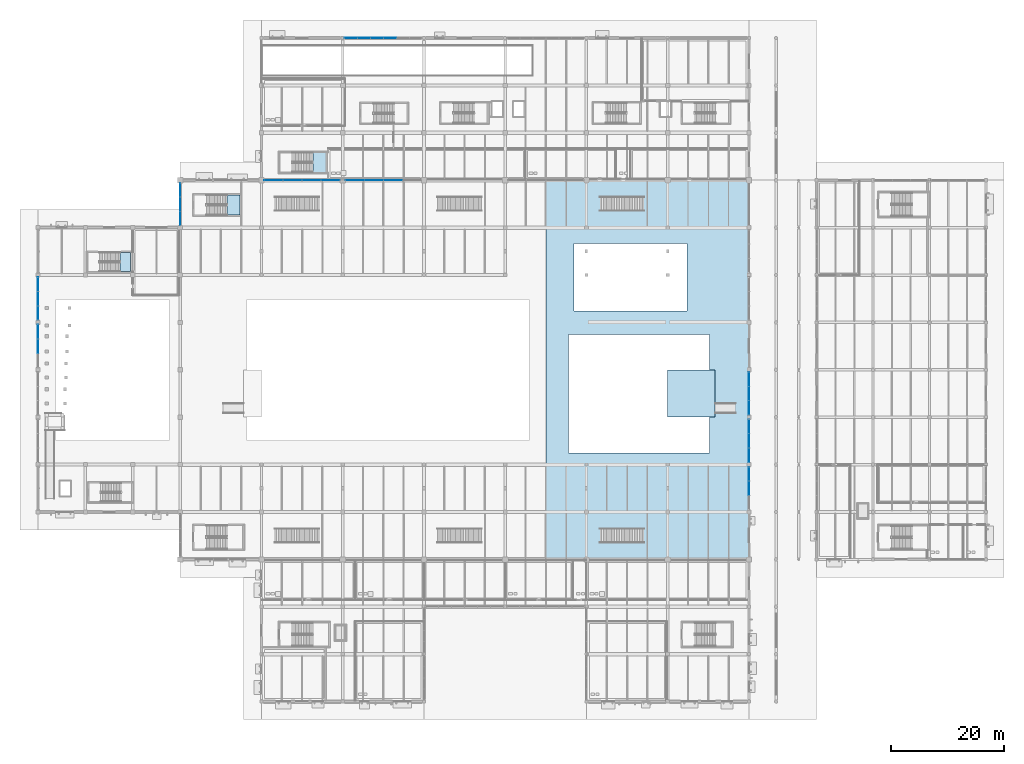
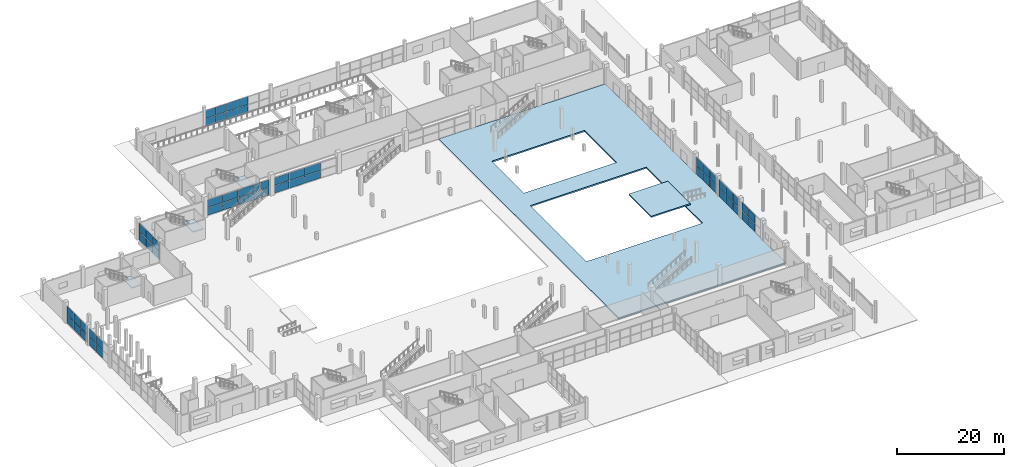
# One storey, part 84 of 130: 54 plates, 5 slabs, 12 elements without a shape of their own.
"""IFC4 building model written with IfcOpenShell, lengths in metres."""

from ifc_helpers import new_model, si_unit, direction, frame, origin, origin_2d, place, context, subcontext, project, spatial, polyline, rectangle, outline, extrude, material, layer, layer_set, type_object, element, aggregate, save


model = new_model("IFC4")

# Units and contexts
model_context = context("Model", 3, precision=1e-05, world=origin(), true_north=direction((0.0, 1.0)))
body_context = subcontext(model_context, "Body", "Model", "MODEL_VIEW")
ifc_project = project(units=[si_unit("LENGTHUNIT", "METRE"), si_unit("AREAUNIT", "SQUARE_METRE"), si_unit("VOLUMEUNIT", "CUBIC_METRE"), si_unit("PLANEANGLEUNIT", "RADIAN"), si_unit("MASSUNIT", "GRAM", prefix="KILO"), si_unit("THERMODYNAMICTEMPERATUREUNIT", "KELVIN")], contexts=[model_context])

# Site, building, storey
site_placement = place(None, origin())
site = spatial("IfcSite", under=ifc_project, at=site_placement, CompositionType="ELEMENT")
building_placement = place(site_placement, origin())
building = spatial("IfcBuilding", under=site, at=building_placement, Name="Nduvali Passage Aquatics Centre", CompositionType="ELEMENT")
storey_placement = place(building_placement, origin())
storey = spatial("IfcBuildingStorey", under=building, at=storey_placement, Name="L00", CompositionType="ELEMENT", Elevation=0.0)

# Curtain wall, plates
ifc_material_1 = material(Name="Aluminium EN AW-6063 T6", Category="aluminium")
curtain_wall_type_1 = type_object("IfcCurtainWallType", Name="ENV-CW-WELL", PredefinedType="NOTDEFINED", material=ifc_material_1)
curtain_wall_1_placement = place(storey_placement, origin())
curtain_wall_1 = element("IfcCurtainWall", 1, at=curtain_wall_1_placement, inside=storey, type_object=curtain_wall_type_1, Name="L00 North Avenue Lobby CW 099", PredefinedType="NOTDEFINED")
ifc_material_2 = material(Name="Laminated solar-control low-E IGU")
ifc_layer_1 = layer(ifc_material_2, 0.028076171875, Name="Laminated solar-control low-E IGU")
ifc_layer_set_1 = layer_set([ifc_layer_1], Name="Laminated solar-control low-E IGU")
plate_type_1 = type_object("IfcPlateType", Name="ENV-PLT-GLZ28", PredefinedType="CURTAIN_PANEL", material=ifc_layer_set_1)
plate_1_placement = place(storey_placement, frame((55.465087890625, 117.60009765625, 0.06005859375), z_axis=(0.0, 0.0, 1.0), x_axis=(1.0, 0.0, 0.0)))
plate_1 = element("IfcPlate", 2, at=plate_1_placement, type_object=plate_type_1, Name="North Avenue Lobby CW Glazed Panel B1-R1", PredefinedType="CURTAIN_PANEL", context=body_context, shape_type="SweptSolid", body=[
    extrude(rectangle(XDim=2.2099609375, YDim=0.028076171875, at=origin_2d()), origin(), (0.0, 0.0, 1.0), 1.786865234375),
])
plate_2_placement = place(storey_placement, frame((55.465087890625, 117.60009765625, 1.90673828125), z_axis=(0.0, 0.0, 1.0), x_axis=(1.0, 0.0, 0.0)))
plate_2 = element("IfcPlate", 3, at=plate_2_placement, type_object=plate_type_1, Name="North Avenue Lobby CW Glazed Panel B1-R2", PredefinedType="CURTAIN_PANEL", context=body_context, shape_type="SweptSolid", body=[
    extrude(rectangle(XDim=2.2099609375, YDim=0.028076171875, at=origin_2d()), origin(), (0.0, 0.0, 1.0), 1.786865234375),
])
plate_3_placement = place(storey_placement, frame((57.75, 117.60009765625, 0.06005859375), z_axis=(0.0, 0.0, 1.0), x_axis=(1.0, 0.0, 0.0)))
plate_3 = element("IfcPlate", 4, at=plate_3_placement, type_object=plate_type_1, Name="North Avenue Lobby CW Glazed Panel B2-R1", PredefinedType="CURTAIN_PANEL", context=body_context, shape_type="SweptSolid", body=[
    extrude(rectangle(XDim=2.239990234375, YDim=0.028076171875, at=origin_2d()), origin(), (0.0, 0.0, 1.0), 1.786865234375),
])
plate_4_placement = place(storey_placement, frame((57.75, 117.60009765625, 1.90673828125), z_axis=(0.0, 0.0, 1.0), x_axis=(1.0, 0.0, 0.0)))
plate_4 = element("IfcPlate", 5, at=plate_4_placement, type_object=plate_type_1, Name="North Avenue Lobby CW Glazed Panel B2-R2", PredefinedType="CURTAIN_PANEL", context=body_context, shape_type="SweptSolid", body=[
    extrude(rectangle(XDim=2.239990234375, YDim=0.028076171875, at=origin_2d()), origin(), (0.0, 0.0, 1.0), 1.786865234375),
])
plate_5_placement = place(storey_placement, frame((60.050048828125, 117.60009765625, 0.06005859375), z_axis=(0.0, 0.0, 1.0), x_axis=(1.0, 0.0, 0.0)))
plate_5 = element("IfcPlate", 6, at=plate_5_placement, type_object=plate_type_1, Name="North Avenue Lobby CW Glazed Panel B3-R1", PredefinedType="CURTAIN_PANEL", context=body_context, shape_type="SweptSolid", body=[
    extrude(rectangle(XDim=2.239990234375, YDim=0.028076171875, at=origin_2d()), origin(), (0.0, 0.0, 1.0), 1.786865234375),
])
plate_6_placement = place(storey_placement, frame((60.050048828125, 117.60009765625, 1.90673828125), z_axis=(0.0, 0.0, 1.0), x_axis=(1.0, 0.0, 0.0)))
plate_6 = element("IfcPlate", 7, at=plate_6_placement, type_object=plate_type_1, Name="North Avenue Lobby CW Glazed Panel B3-R2", PredefinedType="CURTAIN_PANEL", context=body_context, shape_type="SweptSolid", body=[
    extrude(rectangle(XDim=2.239990234375, YDim=0.028076171875, at=origin_2d()), origin(), (0.0, 0.0, 1.0), 1.786865234375),
])
plate_7_placement = place(storey_placement, frame((62.35009765625, 117.60009765625, 0.06005859375), z_axis=(0.0, 0.0, 1.0), x_axis=(1.0, 0.0, 0.0)))
plate_7 = element("IfcPlate", 8, at=plate_7_placement, type_object=plate_type_1, Name="North Avenue Lobby CW Glazed Panel B4-R1", PredefinedType="CURTAIN_PANEL", context=body_context, shape_type="SweptSolid", body=[
    extrude(rectangle(XDim=2.239990234375, YDim=0.028076171875, at=origin_2d()), origin(), (0.0, 0.0, 1.0), 1.786865234375),
])
plate_8_placement = place(storey_placement, frame((62.35009765625, 117.60009765625, 1.90673828125), z_axis=(0.0, 0.0, 1.0), x_axis=(1.0, 0.0, 0.0)))
plate_8 = element("IfcPlate", 9, at=plate_8_placement, type_object=plate_type_1, Name="North Avenue Lobby CW Glazed Panel B4-R2", PredefinedType="CURTAIN_PANEL", context=body_context, shape_type="SweptSolid", body=[
    extrude(rectangle(XDim=2.239990234375, YDim=0.028076171875, at=origin_2d()), origin(), (0.0, 0.0, 1.0), 1.786865234375),
])
aggregate(curtain_wall_1, [plate_1, plate_2, plate_3, plate_4, plate_5, plate_6, plate_7, plate_8])

curtain_wall_type_2 = type_object("IfcCurtainWallType", Name="ENV-CW-HALL", PredefinedType="NOTDEFINED", material=ifc_material_1)
curtain_wall_2_placement = place(storey_placement, origin())
curtain_wall_2 = element("IfcCurtainWall", 10, at=curtain_wall_2_placement, inside=storey, type_object=curtain_wall_type_2, Name="L00 West Pool Hall Lower Glazing 011", PredefinedType="NOTDEFINED")
ifc_layer_2 = layer(ifc_material_2, 0.031982421875, Name="Laminated solar-control low-E IGU")
ifc_layer_set_2 = layer_set([ifc_layer_2], Name="Laminated solar-control low-E IGU")
plate_type_2 = type_object("IfcPlateType", Name="ENV-PLT-GLZ32", PredefinedType="CURTAIN_PANEL", material=ifc_layer_set_2)
plate_9_placement = place(storey_placement, frame((25.199951171875, 85.652587890625, 0.06005859375), z_axis=(0.0, 0.0, 1.0), x_axis=(0.0, 1.0, 0.0)))
plate_9 = element("IfcPlate", 11, at=plate_9_placement, type_object=plate_type_2, Name="West Pool Hall Lower Glazing Glazed Panel B1-R1", PredefinedType="CURTAIN_PANEL", context=body_context, shape_type="SweptSolid", body=[
    extrude(rectangle(XDim=2.43505859375, YDim=0.031982421875, at=origin_2d()), origin(), (0.0, 0.0, 1.0), 1.898193359375),
])
plate_10_placement = place(storey_placement, frame((25.199951171875, 85.652587890625, 2.01806640625), z_axis=(0.0, 0.0, 1.0), x_axis=(0.0, 1.0, 0.0)))
plate_10 = element("IfcPlate", 12, at=plate_10_placement, type_object=plate_type_2, Name="West Pool Hall Lower Glazing Glazed Panel B1-R2", PredefinedType="CURTAIN_PANEL", context=body_context, shape_type="SweptSolid", body=[
    extrude(rectangle(XDim=2.43505859375, YDim=0.031982421875, at=origin_2d()), origin(), (0.0, 0.0, 1.0), 1.898193359375),
])
plate_11_placement = place(storey_placement, frame((25.199951171875, 88.16259765625, 0.06005859375), z_axis=(0.0, 0.0, 1.0), x_axis=(0.0, 1.0, 0.0)))
plate_11 = element("IfcPlate", 13, at=plate_11_placement, type_object=plate_type_2, Name="West Pool Hall Lower Glazing Glazed Panel B2-R1", PredefinedType="CURTAIN_PANEL", context=body_context, shape_type="SweptSolid", body=[
    extrude(rectangle(XDim=2.465087890625, YDim=0.031982421875, at=origin_2d()), origin(), (0.0, 0.0, 1.0), 1.898193359375),
])
plate_12_placement = place(storey_placement, frame((25.199951171875, 88.16259765625, 2.01806640625), z_axis=(0.0, 0.0, 1.0), x_axis=(0.0, 1.0, 0.0)))
plate_12 = element("IfcPlate", 14, at=plate_12_placement, type_object=plate_type_2, Name="West Pool Hall Lower Glazing Glazed Panel B2-R2", PredefinedType="CURTAIN_PANEL", context=body_context, shape_type="SweptSolid", body=[
    extrude(rectangle(XDim=2.465087890625, YDim=0.031982421875, at=origin_2d()), origin(), (0.0, 0.0, 1.0), 1.898193359375),
])
plate_13_placement = place(storey_placement, frame((25.199951171875, 90.672607421875, 0.06005859375), z_axis=(0.0, 0.0, 1.0), x_axis=(0.0, 1.0, 0.0)))
plate_13 = element("IfcPlate", 15, at=plate_13_placement, type_object=plate_type_2, Name="West Pool Hall Lower Glazing Glazed Panel B3-R1", PredefinedType="CURTAIN_PANEL", context=body_context, shape_type="SweptSolid", body=[
    extrude(rectangle(XDim=2.43505859375, YDim=0.031982421875, at=origin_2d()), origin(), (0.0, 0.0, 1.0), 1.898193359375),
])
plate_14_placement = place(storey_placement, frame((25.199951171875, 90.672607421875, 2.01806640625), z_axis=(0.0, 0.0, 1.0), x_axis=(0.0, 1.0, 0.0)))
plate_14 = element("IfcPlate", 16, at=plate_14_placement, type_object=plate_type_2, Name="West Pool Hall Lower Glazing Glazed Panel B3-R2", PredefinedType="CURTAIN_PANEL", context=body_context, shape_type="SweptSolid", body=[
    extrude(rectangle(XDim=2.43505859375, YDim=0.031982421875, at=origin_2d()), origin(), (0.0, 0.0, 1.0), 1.898193359375),
])
aggregate(curtain_wall_2, [plate_9, plate_10, plate_11, plate_12, plate_13, plate_14])

curtain_wall_3_placement = place(storey_placement, origin())
curtain_wall_3 = element("IfcCurtainWall", 17, at=curtain_wall_3_placement, inside=storey, type_object=curtain_wall_type_2, Name="L00 East Passage Pool Hall Lower Glazing 018", PredefinedType="NOTDEFINED")
plate_15_placement = place(storey_placement, frame((126.0, 37.800048828125, 0.06005859375), z_axis=(0.0, 0.0, 1.0), x_axis=(0.0, 1.0, 0.0)))
plate_15 = element("IfcPlate", 18, at=plate_15_placement, type_object=plate_type_2, Name="East Passage Pool Hall Lower Glazing Glazed Panel B2-R1", PredefinedType="CURTAIN_PANEL", context=body_context, shape_type="SweptSolid", body=[
    extrude(rectangle(XDim=2.489990234375, YDim=0.031982421875, at=origin_2d()), origin(), (0.0, 0.0, 1.0), 1.898193359375),
])
plate_16_placement = place(storey_placement, frame((126.0, 37.800048828125, 2.01806640625), z_axis=(0.0, 0.0, 1.0), x_axis=(0.0, 1.0, 0.0)))
plate_16 = element("IfcPlate", 19, at=plate_16_placement, type_object=plate_type_2, Name="East Passage Pool Hall Lower Glazing Glazed Panel B2-R2", PredefinedType="CURTAIN_PANEL", context=body_context, shape_type="SweptSolid", body=[
    extrude(rectangle(XDim=2.489990234375, YDim=0.031982421875, at=origin_2d()), origin(), (0.0, 0.0, 1.0), 1.898193359375),
])
plate_17_placement = place(storey_placement, frame((126.0, 40.3349609375, 0.06005859375), z_axis=(0.0, 0.0, 1.0), x_axis=(0.0, 1.0, 0.0)))
plate_17 = element("IfcPlate", 20, at=plate_17_placement, type_object=plate_type_2, Name="East Passage Pool Hall Lower Glazing Glazed Panel B3-R1", PredefinedType="CURTAIN_PANEL", context=body_context, shape_type="SweptSolid", body=[
    extrude(rectangle(XDim=2.4599609375, YDim=0.031982421875, at=origin_2d()), origin(), (0.0, 0.0, 1.0), 1.898193359375),
])
plate_18_placement = place(storey_placement, frame((126.0, 40.3349609375, 2.01806640625), z_axis=(0.0, 0.0, 1.0), x_axis=(0.0, 1.0, 0.0)))
plate_18 = element("IfcPlate", 21, at=plate_18_placement, type_object=plate_type_2, Name="East Passage Pool Hall Lower Glazing Glazed Panel B3-R2", PredefinedType="CURTAIN_PANEL", context=body_context, shape_type="SweptSolid", body=[
    extrude(rectangle(XDim=2.4599609375, YDim=0.031982421875, at=origin_2d()), origin(), (0.0, 0.0, 1.0), 1.898193359375),
])
aggregate(curtain_wall_3, [plate_15, plate_16, plate_17, plate_18])

curtain_wall_4_placement = place(storey_placement, origin())
curtain_wall_4 = element("IfcCurtainWall", 22, at=curtain_wall_4_placement, inside=storey, type_object=curtain_wall_type_2, Name="L00 East Passage Pool Hall Lower Glazing 022", PredefinedType="NOTDEFINED")
plate_19_placement = place(storey_placement, frame((126.0, 43.6650390625, 0.06005859375), z_axis=(0.0, 0.0, 1.0), x_axis=(0.0, 1.0, 0.0)))
plate_19 = element("IfcPlate", 23, at=plate_19_placement, type_object=plate_type_2, Name="East Passage Pool Hall Lower Glazing Glazed Panel B1-R1", PredefinedType="CURTAIN_PANEL", context=body_context, shape_type="SweptSolid", body=[
    extrude(rectangle(XDim=2.4599609375, YDim=0.031982421875, at=origin_2d()), origin(), (0.0, 0.0, 1.0), 1.898193359375),
])
plate_20_placement = place(storey_placement, frame((126.0, 43.6650390625, 2.01806640625), z_axis=(0.0, 0.0, 1.0), x_axis=(0.0, 1.0, 0.0)))
plate_20 = element("IfcPlate", 24, at=plate_20_placement, type_object=plate_type_2, Name="East Passage Pool Hall Lower Glazing Glazed Panel B1-R2", PredefinedType="CURTAIN_PANEL", context=body_context, shape_type="SweptSolid", body=[
    extrude(rectangle(XDim=2.4599609375, YDim=0.031982421875, at=origin_2d()), origin(), (0.0, 0.0, 1.0), 1.898193359375),
])
plate_21_placement = place(storey_placement, frame((126.0, 46.199951171875, 0.06005859375), z_axis=(0.0, 0.0, 1.0), x_axis=(0.0, 1.0, 0.0)))
plate_21 = element("IfcPlate", 25, at=plate_21_placement, type_object=plate_type_2, Name="East Passage Pool Hall Lower Glazing Glazed Panel B2-R1", PredefinedType="CURTAIN_PANEL", context=body_context, shape_type="SweptSolid", body=[
    extrude(rectangle(XDim=2.489990234375, YDim=0.031982421875, at=origin_2d()), origin(), (0.0, 0.0, 1.0), 1.898193359375),
])
plate_22_placement = place(storey_placement, frame((126.0, 46.199951171875, 2.01806640625), z_axis=(0.0, 0.0, 1.0), x_axis=(0.0, 1.0, 0.0)))
plate_22 = element("IfcPlate", 26, at=plate_22_placement, type_object=plate_type_2, Name="East Passage Pool Hall Lower Glazing Glazed Panel B2-R2", PredefinedType="CURTAIN_PANEL", context=body_context, shape_type="SweptSolid", body=[
    extrude(rectangle(XDim=2.489990234375, YDim=0.031982421875, at=origin_2d()), origin(), (0.0, 0.0, 1.0), 1.898193359375),
])
plate_23_placement = place(storey_placement, frame((126.0, 48.735107421875, 0.06005859375), z_axis=(0.0, 0.0, 1.0), x_axis=(0.0, 1.0, 0.0)))
plate_23 = element("IfcPlate", 27, at=plate_23_placement, type_object=plate_type_2, Name="East Passage Pool Hall Lower Glazing Glazed Panel B3-R1", PredefinedType="CURTAIN_PANEL", context=body_context, shape_type="SweptSolid", body=[
    extrude(rectangle(XDim=2.4599609375, YDim=0.031982421875, at=origin_2d()), origin(), (0.0, 0.0, 1.0), 1.898193359375),
])
plate_24_placement = place(storey_placement, frame((126.0, 48.735107421875, 2.01806640625), z_axis=(0.0, 0.0, 1.0), x_axis=(0.0, 1.0, 0.0)))
plate_24 = element("IfcPlate", 28, at=plate_24_placement, type_object=plate_type_2, Name="East Passage Pool Hall Lower Glazing Glazed Panel B3-R2", PredefinedType="CURTAIN_PANEL", context=body_context, shape_type="SweptSolid", body=[
    extrude(rectangle(XDim=2.4599609375, YDim=0.031982421875, at=origin_2d()), origin(), (0.0, 0.0, 1.0), 1.898193359375),
])
aggregate(curtain_wall_4, [plate_19, plate_20, plate_21, plate_22, plate_23, plate_24])

curtain_wall_5_placement = place(storey_placement, origin())
curtain_wall_5 = element("IfcCurtainWall", 29, at=curtain_wall_5_placement, inside=storey, type_object=curtain_wall_type_2, Name="L00 East Passage Pool Hall Lower Glazing 026", PredefinedType="NOTDEFINED")
plate_25_placement = place(storey_placement, frame((126.0, 52.06494140625, 0.06005859375), z_axis=(0.0, 0.0, 1.0), x_axis=(0.0, 1.0, 0.0)))
plate_25 = element("IfcPlate", 30, at=plate_25_placement, type_object=plate_type_2, Name="East Passage Pool Hall Lower Glazing Glazed Panel B1-R1", PredefinedType="CURTAIN_PANEL", context=body_context, shape_type="SweptSolid", body=[
    extrude(rectangle(XDim=2.4599609375, YDim=0.031982421875, at=origin_2d()), origin(), (0.0, 0.0, 1.0), 1.898193359375),
])
plate_26_placement = place(storey_placement, frame((126.0, 52.06494140625, 2.01806640625), z_axis=(0.0, 0.0, 1.0), x_axis=(0.0, 1.0, 0.0)))
plate_26 = element("IfcPlate", 31, at=plate_26_placement, type_object=plate_type_2, Name="East Passage Pool Hall Lower Glazing Glazed Panel B1-R2", PredefinedType="CURTAIN_PANEL", context=body_context, shape_type="SweptSolid", body=[
    extrude(rectangle(XDim=2.4599609375, YDim=0.031982421875, at=origin_2d()), origin(), (0.0, 0.0, 1.0), 1.898193359375),
])
plate_27_placement = place(storey_placement, frame((126.0, 54.60009765625, 0.06005859375), z_axis=(0.0, 0.0, 1.0), x_axis=(0.0, 1.0, 0.0)))
plate_27 = element("IfcPlate", 32, at=plate_27_placement, type_object=plate_type_2, Name="East Passage Pool Hall Lower Glazing Glazed Panel B2-R1", PredefinedType="CURTAIN_PANEL", context=body_context, shape_type="SweptSolid", body=[
    extrude(rectangle(XDim=2.489990234375, YDim=0.031982421875, at=origin_2d()), origin(), (0.0, 0.0, 1.0), 1.898193359375),
])
plate_28_placement = place(storey_placement, frame((126.0, 54.60009765625, 2.01806640625), z_axis=(0.0, 0.0, 1.0), x_axis=(0.0, 1.0, 0.0)))
plate_28 = element("IfcPlate", 33, at=plate_28_placement, type_object=plate_type_2, Name="East Passage Pool Hall Lower Glazing Glazed Panel B2-R2", PredefinedType="CURTAIN_PANEL", context=body_context, shape_type="SweptSolid", body=[
    extrude(rectangle(XDim=2.489990234375, YDim=0.031982421875, at=origin_2d()), origin(), (0.0, 0.0, 1.0), 1.898193359375),
])
plate_29_placement = place(storey_placement, frame((126.0, 57.135009765625, 0.06005859375), z_axis=(0.0, 0.0, 1.0), x_axis=(0.0, 1.0, 0.0)))
plate_29 = element("IfcPlate", 34, at=plate_29_placement, type_object=plate_type_2, Name="East Passage Pool Hall Lower Glazing Glazed Panel B3-R1", PredefinedType="CURTAIN_PANEL", context=body_context, shape_type="SweptSolid", body=[
    extrude(rectangle(XDim=2.4599609375, YDim=0.031982421875, at=origin_2d()), origin(), (0.0, 0.0, 1.0), 1.898193359375),
])
plate_30_placement = place(storey_placement, frame((126.0, 57.135009765625, 2.01806640625), z_axis=(0.0, 0.0, 1.0), x_axis=(0.0, 1.0, 0.0)))
plate_30 = element("IfcPlate", 35, at=plate_30_placement, type_object=plate_type_2, Name="East Passage Pool Hall Lower Glazing Glazed Panel B3-R2", PredefinedType="CURTAIN_PANEL", context=body_context, shape_type="SweptSolid", body=[
    extrude(rectangle(XDim=2.4599609375, YDim=0.031982421875, at=origin_2d()), origin(), (0.0, 0.0, 1.0), 1.898193359375),
])
aggregate(curtain_wall_5, [plate_25, plate_26, plate_27, plate_28, plate_29, plate_30])

curtain_wall_6_placement = place(storey_placement, origin())
curtain_wall_6 = element("IfcCurtainWall", 36, at=curtain_wall_6_placement, inside=storey, type_object=curtain_wall_type_2, Name="L00 North Pool Hall Hydro-Pool Screen 057", PredefinedType="NOTDEFINED")
plate_31_placement = place(storey_placement, frame((41.75244140625, 92.39990234375, 0.06005859375), z_axis=(0.0, 0.0, 1.0), x_axis=(1.0, 0.0, 0.0)))
plate_31 = element("IfcPlate", 37, at=plate_31_placement, type_object=plate_type_2, Name="North Pool Hall Hydro-Pool Screen Glazed Panel B1-R1", PredefinedType="CURTAIN_PANEL", context=body_context, shape_type="SweptSolid", body=[
    extrude(rectangle(XDim=3.284912109375, YDim=0.031982421875, at=origin_2d()), origin(), (0.0, 0.0, 1.0), 1.712890625),
])
plate_32_placement = place(storey_placement, frame((41.75244140625, 92.39990234375, 1.832763671875), z_axis=(0.0, 0.0, 1.0), x_axis=(1.0, 0.0, 0.0)))
plate_32 = element("IfcPlate", 38, at=plate_32_placement, type_object=plate_type_2, Name="North Pool Hall Hydro-Pool Screen Glazed Panel B1-R2", PredefinedType="CURTAIN_PANEL", context=body_context, shape_type="SweptSolid", body=[
    extrude(rectangle(XDim=3.284912109375, YDim=0.031982421875, at=origin_2d()), origin(), (0.0, 0.0, 1.0), 1.712890625),
])
plate_33_placement = place(storey_placement, frame((45.112548828125, 92.39990234375, 0.06005859375), z_axis=(0.0, 0.0, 1.0), x_axis=(1.0, 0.0, 0.0)))
plate_33 = element("IfcPlate", 39, at=plate_33_placement, type_object=plate_type_2, Name="North Pool Hall Hydro-Pool Screen Glazed Panel B2-R1", PredefinedType="CURTAIN_PANEL", context=body_context, shape_type="SweptSolid", body=[
    extrude(rectangle(XDim=3.31494140625, YDim=0.031982421875, at=origin_2d()), origin(), (0.0, 0.0, 1.0), 1.712890625),
])
plate_34_placement = place(storey_placement, frame((45.112548828125, 92.39990234375, 1.832763671875), z_axis=(0.0, 0.0, 1.0), x_axis=(1.0, 0.0, 0.0)))
plate_34 = element("IfcPlate", 40, at=plate_34_placement, type_object=plate_type_2, Name="North Pool Hall Hydro-Pool Screen Glazed Panel B2-R2", PredefinedType="CURTAIN_PANEL", context=body_context, shape_type="SweptSolid", body=[
    extrude(rectangle(XDim=3.31494140625, YDim=0.031982421875, at=origin_2d()), origin(), (0.0, 0.0, 1.0), 1.712890625),
])
plate_35_placement = place(storey_placement, frame((48.487548828125, 92.39990234375, 0.06005859375), z_axis=(0.0, 0.0, 1.0), x_axis=(1.0, 0.0, 0.0)))
plate_35 = element("IfcPlate", 41, at=plate_35_placement, type_object=plate_type_2, Name="North Pool Hall Hydro-Pool Screen Glazed Panel B3-R1", PredefinedType="CURTAIN_PANEL", context=body_context, shape_type="SweptSolid", body=[
    extrude(rectangle(XDim=3.31494140625, YDim=0.031982421875, at=origin_2d()), origin(), (0.0, 0.0, 1.0), 1.712890625),
])
plate_36_placement = place(storey_placement, frame((48.487548828125, 92.39990234375, 1.832763671875), z_axis=(0.0, 0.0, 1.0), x_axis=(1.0, 0.0, 0.0)))
plate_36 = element("IfcPlate", 42, at=plate_36_placement, type_object=plate_type_2, Name="North Pool Hall Hydro-Pool Screen Glazed Panel B3-R2", PredefinedType="CURTAIN_PANEL", context=body_context, shape_type="SweptSolid", body=[
    extrude(rectangle(XDim=3.31494140625, YDim=0.031982421875, at=origin_2d()), origin(), (0.0, 0.0, 1.0), 1.712890625),
])
plate_37_placement = place(storey_placement, frame((51.847412109375, 92.39990234375, 0.06005859375), z_axis=(0.0, 0.0, 1.0), x_axis=(1.0, 0.0, 0.0)))
plate_37 = element("IfcPlate", 43, at=plate_37_placement, type_object=plate_type_2, Name="North Pool Hall Hydro-Pool Screen Glazed Panel B4-R1", PredefinedType="CURTAIN_PANEL", context=body_context, shape_type="SweptSolid", body=[
    extrude(rectangle(XDim=3.284912109375, YDim=0.031982421875, at=origin_2d()), origin(), (0.0, 0.0, 1.0), 1.712890625),
])
plate_38_placement = place(storey_placement, frame((51.847412109375, 92.39990234375, 1.832763671875), z_axis=(0.0, 0.0, 1.0), x_axis=(1.0, 0.0, 0.0)))
plate_38 = element("IfcPlate", 44, at=plate_38_placement, type_object=plate_type_2, Name="North Pool Hall Hydro-Pool Screen Glazed Panel B4-R2", PredefinedType="CURTAIN_PANEL", context=body_context, shape_type="SweptSolid", body=[
    extrude(rectangle(XDim=3.284912109375, YDim=0.031982421875, at=origin_2d()), origin(), (0.0, 0.0, 1.0), 1.712890625),
])
aggregate(curtain_wall_6, [plate_31, plate_32, plate_33, plate_34, plate_35, plate_36, plate_37, plate_38])

curtain_wall_7_placement = place(storey_placement, origin())
curtain_wall_7 = element("IfcCurtainWall", 45, at=curtain_wall_7_placement, inside=storey, type_object=curtain_wall_type_2, Name="L00 North Pool Hall Hydro-Pool Screen 060", PredefinedType="NOTDEFINED")
plate_39_placement = place(storey_placement, frame((56.152587890625, 92.39990234375, 0.06005859375), z_axis=(0.0, 0.0, 1.0), x_axis=(1.0, 0.0, 0.0)))
plate_39 = element("IfcPlate", 46, at=plate_39_placement, type_object=plate_type_2, Name="North Pool Hall Hydro-Pool Screen Glazed Panel B1-R1", PredefinedType="CURTAIN_PANEL", context=body_context, shape_type="SweptSolid", body=[
    extrude(rectangle(XDim=3.284912109375, YDim=0.031982421875, at=origin_2d()), origin(), (0.0, 0.0, 1.0), 1.712890625),
])
plate_40_placement = place(storey_placement, frame((56.152587890625, 92.39990234375, 1.832763671875), z_axis=(0.0, 0.0, 1.0), x_axis=(1.0, 0.0, 0.0)))
plate_40 = element("IfcPlate", 47, at=plate_40_placement, type_object=plate_type_2, Name="North Pool Hall Hydro-Pool Screen Glazed Panel B1-R2", PredefinedType="CURTAIN_PANEL", context=body_context, shape_type="SweptSolid", body=[
    extrude(rectangle(XDim=3.284912109375, YDim=0.031982421875, at=origin_2d()), origin(), (0.0, 0.0, 1.0), 1.712890625),
])
plate_41_placement = place(storey_placement, frame((59.512451171875, 92.39990234375, 0.06005859375), z_axis=(0.0, 0.0, 1.0), x_axis=(1.0, 0.0, 0.0)))
plate_41 = element("IfcPlate", 48, at=plate_41_placement, type_object=plate_type_2, Name="North Pool Hall Hydro-Pool Screen Glazed Panel B2-R1", PredefinedType="CURTAIN_PANEL", context=body_context, shape_type="SweptSolid", body=[
    extrude(rectangle(XDim=3.31494140625, YDim=0.031982421875, at=origin_2d()), origin(), (0.0, 0.0, 1.0), 1.712890625),
])
plate_42_placement = place(storey_placement, frame((59.512451171875, 92.39990234375, 1.832763671875), z_axis=(0.0, 0.0, 1.0), x_axis=(1.0, 0.0, 0.0)))
plate_42 = element("IfcPlate", 49, at=plate_42_placement, type_object=plate_type_2, Name="North Pool Hall Hydro-Pool Screen Glazed Panel B2-R2", PredefinedType="CURTAIN_PANEL", context=body_context, shape_type="SweptSolid", body=[
    extrude(rectangle(XDim=3.31494140625, YDim=0.031982421875, at=origin_2d()), origin(), (0.0, 0.0, 1.0), 1.712890625),
])
plate_43_placement = place(storey_placement, frame((62.887451171875, 92.39990234375, 0.06005859375), z_axis=(0.0, 0.0, 1.0), x_axis=(1.0, 0.0, 0.0)))
plate_43 = element("IfcPlate", 50, at=plate_43_placement, type_object=plate_type_2, Name="North Pool Hall Hydro-Pool Screen Glazed Panel B3-R1", PredefinedType="CURTAIN_PANEL", context=body_context, shape_type="SweptSolid", body=[
    extrude(rectangle(XDim=3.31494140625, YDim=0.031982421875, at=origin_2d()), origin(), (0.0, 0.0, 1.0), 1.712890625),
])
plate_44_placement = place(storey_placement, frame((62.887451171875, 92.39990234375, 1.832763671875), z_axis=(0.0, 0.0, 1.0), x_axis=(1.0, 0.0, 0.0)))
plate_44 = element("IfcPlate", 51, at=plate_44_placement, type_object=plate_type_2, Name="North Pool Hall Hydro-Pool Screen Glazed Panel B3-R2", PredefinedType="CURTAIN_PANEL", context=body_context, shape_type="SweptSolid", body=[
    extrude(rectangle(XDim=3.31494140625, YDim=0.031982421875, at=origin_2d()), origin(), (0.0, 0.0, 1.0), 1.712890625),
])
aggregate(curtain_wall_7, [plate_39, plate_40, plate_41, plate_42, plate_43, plate_44])

curtain_wall_type_3 = type_object("IfcCurtainWallType", Name="ENV-CW-DIVE", PredefinedType="NOTDEFINED", material=ifc_material_1)
curtain_wall_8_placement = place(storey_placement, origin())
curtain_wall_8 = element("IfcCurtainWall", 52, at=curtain_wall_8_placement, inside=storey, type_object=curtain_wall_type_3, Name="L00 West Diving Pool Viewing CW 137", PredefinedType="NOTDEFINED")
plate_45_placement = place(storey_placement, frame((0.0, 63.0, 0.06005859375), z_axis=(0.0, 0.0, 1.0), x_axis=(0.0, 1.0, 0.0)))
plate_45 = element("IfcPlate", 53, at=plate_45_placement, type_object=plate_type_2, Name="West Diving Pool Viewing CW Glazed Panel B2-R1", PredefinedType="CURTAIN_PANEL", context=body_context, shape_type="SweptSolid", body=[
    extrude(rectangle(XDim=2.489990234375, YDim=0.031982421875, at=origin_2d()), origin(), (0.0, 0.0, 1.0), 1.898193359375),
])
plate_46_placement = place(storey_placement, frame((0.0, 63.0, 2.01806640625), z_axis=(0.0, 0.0, 1.0), x_axis=(0.0, 1.0, 0.0)))
plate_46 = element("IfcPlate", 54, at=plate_46_placement, type_object=plate_type_2, Name="West Diving Pool Viewing CW Glazed Panel B2-R2", PredefinedType="CURTAIN_PANEL", context=body_context, shape_type="SweptSolid", body=[
    extrude(rectangle(XDim=2.489990234375, YDim=0.031982421875, at=origin_2d()), origin(), (0.0, 0.0, 1.0), 1.898193359375),
])
plate_47_placement = place(storey_placement, frame((0.0, 65.534912109375, 0.06005859375), z_axis=(0.0, 0.0, 1.0), x_axis=(0.0, 1.0, 0.0)))
plate_47 = element("IfcPlate", 55, at=plate_47_placement, type_object=plate_type_2, Name="West Diving Pool Viewing CW Glazed Panel B3-R1", PredefinedType="CURTAIN_PANEL", context=body_context, shape_type="SweptSolid", body=[
    extrude(rectangle(XDim=2.4599609375, YDim=0.031982421875, at=origin_2d()), origin(), (0.0, 0.0, 1.0), 1.898193359375),
])
plate_48_placement = place(storey_placement, frame((0.0, 65.534912109375, 2.01806640625), z_axis=(0.0, 0.0, 1.0), x_axis=(0.0, 1.0, 0.0)))
plate_48 = element("IfcPlate", 56, at=plate_48_placement, type_object=plate_type_2, Name="West Diving Pool Viewing CW Glazed Panel B3-R2", PredefinedType="CURTAIN_PANEL", context=body_context, shape_type="SweptSolid", body=[
    extrude(rectangle(XDim=2.4599609375, YDim=0.031982421875, at=origin_2d()), origin(), (0.0, 0.0, 1.0), 1.898193359375),
])
aggregate(curtain_wall_8, [plate_45, plate_46, plate_47, plate_48])

curtain_wall_9_placement = place(storey_placement, origin())
curtain_wall_9 = element("IfcCurtainWall", 57, at=curtain_wall_9_placement, inside=storey, type_object=curtain_wall_type_3, Name="L00 West Diving Pool Viewing CW 142", PredefinedType="NOTDEFINED")
plate_49_placement = place(storey_placement, frame((0.0, 68.864990234375, 0.06005859375), z_axis=(0.0, 0.0, 1.0), x_axis=(0.0, 1.0, 0.0)))
plate_49 = element("IfcPlate", 58, at=plate_49_placement, type_object=plate_type_2, Name="West Diving Pool Viewing CW Glazed Panel B1-R1", PredefinedType="CURTAIN_PANEL", context=body_context, shape_type="SweptSolid", body=[
    extrude(rectangle(XDim=2.4599609375, YDim=0.031982421875, at=origin_2d()), origin(), (0.0, 0.0, 1.0), 1.898193359375),
])
plate_50_placement = place(storey_placement, frame((0.0, 68.864990234375, 2.01806640625), z_axis=(0.0, 0.0, 1.0), x_axis=(0.0, 1.0, 0.0)))
plate_50 = element("IfcPlate", 59, at=plate_50_placement, type_object=plate_type_2, Name="West Diving Pool Viewing CW Glazed Panel B1-R2", PredefinedType="CURTAIN_PANEL", context=body_context, shape_type="SweptSolid", body=[
    extrude(rectangle(XDim=2.4599609375, YDim=0.031982421875, at=origin_2d()), origin(), (0.0, 0.0, 1.0), 1.898193359375),
])
plate_51_placement = place(storey_placement, frame((0.0, 71.39990234375, 0.06005859375), z_axis=(0.0, 0.0, 1.0), x_axis=(0.0, 1.0, 0.0)))
plate_51 = element("IfcPlate", 60, at=plate_51_placement, type_object=plate_type_2, Name="West Diving Pool Viewing CW Glazed Panel B2-R1", PredefinedType="CURTAIN_PANEL", context=body_context, shape_type="SweptSolid", body=[
    extrude(rectangle(XDim=2.489990234375, YDim=0.031982421875, at=origin_2d()), origin(), (0.0, 0.0, 1.0), 1.898193359375),
])
plate_52_placement = place(storey_placement, frame((0.0, 71.39990234375, 2.01806640625), z_axis=(0.0, 0.0, 1.0), x_axis=(0.0, 1.0, 0.0)))
plate_52 = element("IfcPlate", 61, at=plate_52_placement, type_object=plate_type_2, Name="West Diving Pool Viewing CW Glazed Panel B2-R2", PredefinedType="CURTAIN_PANEL", context=body_context, shape_type="SweptSolid", body=[
    extrude(rectangle(XDim=2.489990234375, YDim=0.031982421875, at=origin_2d()), origin(), (0.0, 0.0, 1.0), 1.898193359375),
])
plate_53_placement = place(storey_placement, frame((0.0, 73.93505859375, 0.06005859375), z_axis=(0.0, 0.0, 1.0), x_axis=(0.0, 1.0, 0.0)))
plate_53 = element("IfcPlate", 62, at=plate_53_placement, type_object=plate_type_2, Name="West Diving Pool Viewing CW Glazed Panel B3-R1", PredefinedType="CURTAIN_PANEL", context=body_context, shape_type="SweptSolid", body=[
    extrude(rectangle(XDim=2.4599609375, YDim=0.031982421875, at=origin_2d()), origin(), (0.0, 0.0, 1.0), 1.898193359375),
])
plate_54_placement = place(storey_placement, frame((0.0, 73.93505859375, 2.01806640625), z_axis=(0.0, 0.0, 1.0), x_axis=(0.0, 1.0, 0.0)))
plate_54 = element("IfcPlate", 63, at=plate_54_placement, type_object=plate_type_2, Name="West Diving Pool Viewing CW Glazed Panel B3-R2", PredefinedType="CURTAIN_PANEL", context=body_context, shape_type="SweptSolid", body=[
    extrude(rectangle(XDim=2.4599609375, YDim=0.031982421875, at=origin_2d()), origin(), (0.0, 0.0, 1.0), 1.898193359375),
])
aggregate(curtain_wall_9, [plate_49, plate_50, plate_51, plate_52, plate_53, plate_54])

# Stair, slab
ifc_material_3 = material(Name="Concrete C40/50", Category="concrete")
stair_type_1 = type_object("IfcStairType", Name="INT-STR-CORE168", PredefinedType="HALF_TURN_STAIR", material=ifc_material_3)
stair_1_placement = place(storey_placement, origin())
stair_1 = element("IfcStair", 64, at=stair_1_placement, inside=storey, type_object=stair_type_1, Name="L00 ST4", PredefinedType="HALF_TURN_STAIR")
ifc_layer_3 = layer(ifc_material_3, 0.219970703125, Name="Concrete C40/50")
ifc_layer_set_3 = layer_set([ifc_layer_3], Name="Concrete C40/50")
slab_type_1 = type_object("IfcSlabType", Name="INT-SLB-LAND170", PredefinedType="LANDING", material=ifc_layer_set_3)
slab_1_placement = place(storey_placement, frame((0.0, 0.0, 2.179931640625)))
slab_1 = element("IfcSlab", 65, at=slab_1_placement, type_object=slab_type_1, Name="ST4 landing 1", PredefinedType="LANDING", context=body_context, shape_type="SweptSolid", body=[
    extrude(outline(polyline([(48.68994140625, 93.800048828125), (51.0, 93.800048828125), (51.0, 97.31005859375), (48.68994140625, 97.31005859375), (48.68994140625, 93.800048828125)])), origin(), (0.0, 0.0, 1.0), 0.219970703125),
])
aggregate(stair_1, [slab_1])

stair_type_2 = type_object("IfcStairType", Name="INT-STR-CORE172", PredefinedType="HALF_TURN_STAIR", material=ifc_material_3)
stair_2_placement = place(storey_placement, origin())
stair_2 = element("IfcStair", 66, at=stair_2_placement, inside=storey, type_object=stair_type_2, Name="L00 ST10", PredefinedType="HALF_TURN_STAIR")
slab_2_placement = place(storey_placement, frame((0.0, 0.0, 2.179931640625)))
slab_2 = element("IfcSlab", 67, at=slab_2_placement, type_object=slab_type_1, Name="ST10 landing 1", PredefinedType="LANDING", context=body_context, shape_type="SweptSolid", body=[
    extrude(outline(polyline([(33.489990234375, 86.199951171875), (35.800048828125, 86.199951171875), (35.800048828125, 89.7900390625), (33.489990234375, 89.7900390625), (33.489990234375, 86.199951171875)])), origin(), (0.0, 0.0, 1.0), 0.219970703125),
])
aggregate(stair_2, [slab_2])

stair_type_3 = type_object("IfcStairType", Name="INT-STR-CORE164", PredefinedType="HALF_TURN_STAIR", material=ifc_material_3)
stair_3_placement = place(storey_placement, origin())
stair_3 = element("IfcStair", 68, at=stair_3_placement, inside=storey, type_object=stair_type_3, Name="L00 ST12", PredefinedType="HALF_TURN_STAIR")
slab_3_placement = place(storey_placement, frame((0.0, 0.0, 2.179931640625)))
slab_3 = element("IfcSlab", 69, at=slab_3_placement, type_object=slab_type_1, Name="ST12 landing 1", PredefinedType="LANDING", context=body_context, shape_type="SweptSolid", body=[
    extrude(outline(polyline([(14.5400390625, 76.199951171875), (16.39990234375, 76.199951171875), (16.39990234375, 79.6298828125), (14.5400390625, 79.6298828125), (14.5400390625, 76.199951171875)])), origin(), (0.0, 0.0, 1.0), 0.219970703125),
])
aggregate(stair_3, [slab_3])

# Slabs
ifc_material_4 = material(Name="Waterproof concrete C40/50", Category="concrete")
ifc_layer_4 = layer(ifc_material_4, 0.320068359375, Name="Waterproof concrete C40/50")
ifc_layer_set_4 = layer_set([ifc_layer_4], Name="Waterproof concrete C40/50")
slab_type_2 = type_object("IfcSlabType", Name="STR-SLB-DECK320", PredefinedType="BASESLAB", material=ifc_layer_set_4)
slab_4_placement = place(storey_placement, frame((0.0, 0.0, -0.320068359375)))
element("IfcSlab", 70, at=slab_4_placement, inside=storey, type_object=slab_type_2, Name="L00 Training and Leisure Pool Concourse Slab", PredefinedType="BASESLAB", context=body_context, shape_type="SweptSolid", body=[
    extrude(outline(polyline([(90.0, 25.199951171875), (126.0, 25.199951171875), (126.0, 92.39990234375), (90.0, 92.39990234375), (90.0, 25.199951171875)]), holes=[polyline([(93.989990234375, 44.10009765625), (119.010009765625, 44.10009765625), (119.010009765625, 65.10009765625), (93.989990234375, 65.10009765625), (93.989990234375, 44.10009765625)]), polyline([(95.0, 69.199951171875), (115.0, 69.199951171875), (115.0, 81.199951171875), (95.0, 81.199951171875), (95.0, 69.199951171875)])]), origin(), (0.0, 0.0, 1.0), 0.320068359375),
])
ifc_layer_5 = layer(ifc_material_3, 0.300048828125, Name="Concrete C40/50")
ifc_layer_set_5 = layer_set([ifc_layer_5], Name="Concrete C40/50")
slab_type_3 = type_object("IfcSlabType", Name="STR-SLB-PLINTH300", PredefinedType="FLOOR", material=ifc_layer_set_5)
slab_5_placement = place(storey_placement, origin())
element("IfcSlab", 71, at=slab_5_placement, inside=storey, type_object=slab_type_3, Name="Training Poolside Coaching Plinth Ramp PR2 Raised Viewing Plinth Slab", PredefinedType="FLOOR", context=body_context, shape_type="SweptSolid", body=[
    extrude(outline(polyline([(111.60009765625, 50.39990234375), (120.0, 50.39990234375), (120.0, 58.800048828125), (111.60009765625, 58.800048828125), (111.60009765625, 50.39990234375)])), origin(), (0.0, 0.0, 1.0), 0.300048828125),
])

save(model, "model.ifc")
